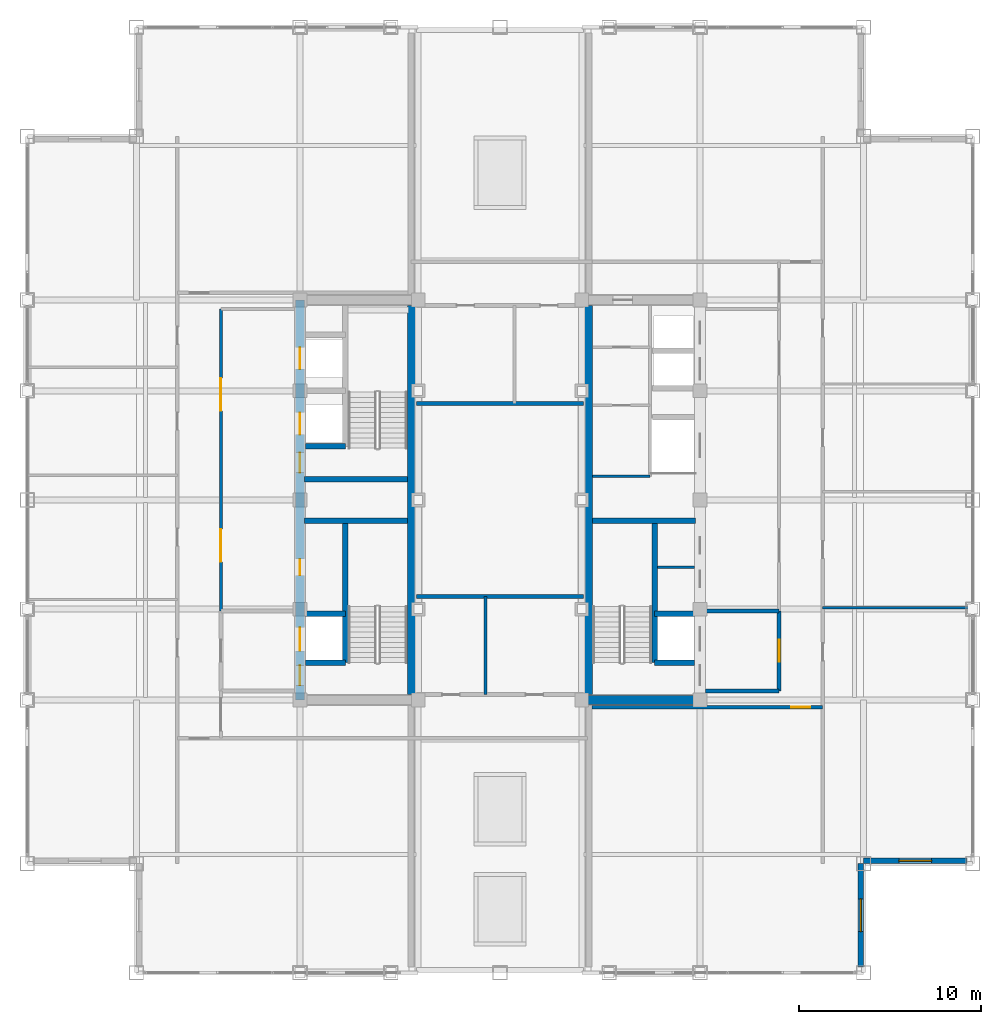
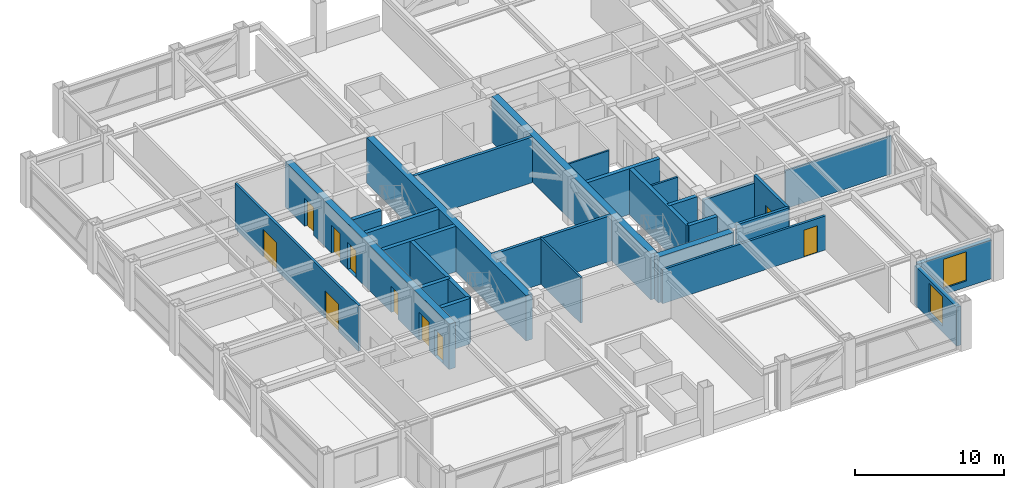
# One storey, part 26 of 29: 27 walls, 10 doors, 2 windows, 12 openings.
"""IFC4 building model written with IfcOpenShell, lengths in metres."""

from ifc_helpers import new_model, si_unit, direction, frame, frame_2d, origin, place, context, subcontext, project, spatial, rectangle, extrude, source, transform, mapped, material, layer, layer_set, type_object, element, fill, save


model = new_model("IFC4")

# Units and contexts
model_context = context("Model", 3, precision=1e-05, world=origin(), true_north=direction((0.0, 1.0)))
body_context = subcontext(model_context, "Body", "Model", "MODEL_VIEW")
ifc_project = project(units=[si_unit("LENGTHUNIT", "METRE"), si_unit("AREAUNIT", "SQUARE_METRE"), si_unit("VOLUMEUNIT", "CUBIC_METRE"), si_unit("PLANEANGLEUNIT", "RADIAN"), si_unit("MASSUNIT", "GRAM", prefix="KILO")], contexts=[model_context])

# Site, building, storey
site_placement = place(None, origin())
site = spatial("IfcSite", under=ifc_project, at=site_placement, CompositionType="ELEMENT")
building_placement = place(site_placement, origin())
building = spatial("IfcBuilding", under=site, at=building_placement, Name="Khorayat Bourse Tower", CompositionType="ELEMENT")
storey_placement = place(building_placement, frame((0.0, 0.0, 346.300048828125)))
storey = spatial("IfcBuildingStorey", under=building, at=storey_placement, Name="L82", CompositionType="ELEMENT", Elevation=346.300048828125)

# Wall, openings, doors
ifc_material_1 = material(Name="Concrete C52/65", Category="concrete")
ifc_layer_1 = layer(ifc_material_1, 0.5)
ifc_layer_set_1 = layer_set([ifc_layer_1], Name="Concrete C52/65")
wall_type_1 = type_object("IfcWallType", Name="WAL-CORE-500", PredefinedType="SHEAR", material=ifc_layer_set_1)
shared_shape_1 = source(origin(), body_context, "Body", "SweptSolid", [
    extrude(rectangle(XDim=22.0, YDim=0.5, at=frame_2d((11.0, 0.0))), origin(), (0.0, 0.0, 1.0), 3.739990234375),
])
wall_1_placement = place(storey_placement, frame((-11.0, -11.0, 0.0), z_axis=(0.0, 0.0, 1.0), x_axis=(0.0, 1.0, 0.0)))
wall_1 = element("IfcWall", 1, at=wall_1_placement, inside=storey, type_object=wall_type_1, Name="L82 Core Shear Wall CORE-W", PredefinedType="SHEAR", context=body_context, shape_type="MappedRepresentation", body=[
    mapped(shared_shape_1, transform((0.0, 0.0, 0.0), scale=1.0)),
])
shared_shape_2 = source(origin(), body_context, "Body", "SweptSolid", [
    extrude(rectangle(XDim=1.10009765625, YDim=2.199951171875, at=frame_2d((0.550048828125, 1.10009765625))), frame((0.0, 0.260009765625, 0.0), z_axis=(0.0, -1.0, 0.0), x_axis=(1.0, 0.0, 0.0)), (0.0, 0.0, 1.0), 0.52001953125),
])
opening_1_placement = place(wall_1_placement, frame((0.800048828125, 0.0, 0.0)))
opening_1 = element("IfcOpeningElement", 2, at=opening_1_placement, cuts=wall_1, Name="Opening DI-01", PredefinedType="OPENING", context=body_context, shape_type="MappedRepresentation", body=[
    mapped(shared_shape_2, transform((0.0, 0.0, 0.0), scale=1.0)),
])
opening_2_placement = place(wall_1_placement, frame((12.5, 0.0, 0.0)))
opening_2 = element("IfcOpeningElement", 3, at=opening_2_placement, cuts=wall_1, Name="Opening DI-01", PredefinedType="OPENING", context=body_context, shape_type="MappedRepresentation", body=[
    mapped(shared_shape_2, transform((0.0, 0.0, 0.0), scale=1.0)),
])
shared_shape_3 = source(origin(), body_context, "Body", "SweptSolid", [
    extrude(rectangle(XDim=0.89990234375, YDim=2.14990234375, at=frame_2d((0.449951171875, 1.074951171875))), frame((0.0, 0.260009765625, 0.0), z_axis=(0.0, -1.0, 0.0), x_axis=(1.0, 0.0, 0.0)), (0.0, 0.0, 1.0), 0.52001953125),
])
opening_3_placement = place(wall_1_placement, frame((6.85009765625, 0.0, 0.0)))
opening_3 = element("IfcOpeningElement", 4, at=opening_3_placement, cuts=wall_1, Name="Opening DI-06", PredefinedType="OPENING", context=body_context, shape_type="MappedRepresentation", body=[
    mapped(shared_shape_3, transform((0.0, 0.0, 0.0), scale=1.0)),
])
shared_shape_4 = source(origin(), body_context, "Body", "SweptSolid", [
    extrude(rectangle(XDim=1.199951171875, YDim=2.300048828125, at=frame_2d((0.60009765625, 1.14990234375))), frame((0.0, 0.260009765625, 0.0), z_axis=(0.0, -1.0, 0.0), x_axis=(1.0, 0.0, 0.0)), (0.0, 0.0, 1.0), 0.52001953125),
])
opening_4_placement = place(wall_1_placement, frame((14.60009765625, 0.0, 0.0)))
opening_4 = element("IfcOpeningElement", 5, at=opening_4_placement, cuts=wall_1, Name="Opening LD-01", PredefinedType="OPENING", context=body_context, shape_type="MappedRepresentation", body=[
    mapped(shared_shape_4, transform((0.0, 0.0, 0.0), scale=1.0)),
])
opening_5_placement = place(wall_1_placement, frame((18.199951171875, 0.0, 0.0)))
opening_5 = element("IfcOpeningElement", 6, at=opening_5_placement, cuts=wall_1, Name="Opening LD-01", PredefinedType="OPENING", context=body_context, shape_type="MappedRepresentation", body=[
    mapped(shared_shape_4, transform((0.0, 0.0, 0.0), scale=1.0)),
])
shared_shape_5 = source(origin(), body_context, "Body", "SweptSolid", [
    extrude(rectangle(XDim=1.300048828125, YDim=2.300048828125, at=frame_2d((0.64990234375, 1.14990234375))), frame((0.0, 0.260009765625, 0.0), z_axis=(0.0, -1.0, 0.0), x_axis=(1.0, 0.0, 0.0)), (0.0, 0.0, 1.0), 0.52001953125),
])
opening_6_placement = place(wall_1_placement, frame((2.699951171875, 0.0, 0.0)))
opening_6 = element("IfcOpeningElement", 7, at=opening_6_placement, cuts=wall_1, Name="Opening LD-02", PredefinedType="OPENING", context=body_context, shape_type="MappedRepresentation", body=[
    mapped(shared_shape_5, transform((0.0, 0.0, 0.0), scale=1.0)),
])
ifc_material_2 = material(Name="Fire-rated steel acoustic leaf", Category="steel")
door_type_1 = type_object("IfcDoorType", Name="DR-INT-STAIR-1100", OperationType="NOTDEFINED", PredefinedType="DOOR", material=ifc_material_2)
shared_shape_6 = source(origin(), body_context, "Body", "SweptSolid", [
    extrude(rectangle(XDim=1.10009765625, YDim=2.199951171875, at=frame_2d((0.550048828125, 1.10009765625))), frame((0.0, 0.02490234375, 0.0), z_axis=(0.0, -1.0, 0.0), x_axis=(1.0, 0.0, 0.0)), (0.0, 0.0, 1.0), 0.050048828125),
])
door_1_placement = place(opening_1_placement, origin())
door_1 = element("IfcDoor", 8, at=door_1_placement, inside=storey, type_object=door_type_1, Name="L82 Exit Stair 1 Door", OperationType="SINGLE_SWING_RIGHT", OverallHeight=2.199951171875, OverallWidth=1.10009765625, PredefinedType="DOOR", context=body_context, shape_type="MappedRepresentation", body=[
    mapped(shared_shape_6, transform((0.0, 0.0, 0.0), scale=1.0)),
])
fill(opening_1, door_1)
door_2_placement = place(opening_2_placement, origin())
door_2 = element("IfcDoor", 9, at=door_2_placement, inside=storey, type_object=door_type_1, Name="L82 Exit Stair 2 Door", OperationType="SINGLE_SWING_RIGHT", OverallHeight=2.199951171875, OverallWidth=1.10009765625, PredefinedType="DOOR", context=body_context, shape_type="MappedRepresentation", body=[
    mapped(shared_shape_6, transform((0.0, 0.0, 0.0), scale=1.0)),
])
fill(opening_2, door_2)
ifc_material_3 = material(Name="Moisture-resistant laminate washroom door")
door_type_2 = type_object("IfcDoorType", Name="DR-INT-WC-900", OperationType="NOTDEFINED", PredefinedType="DOOR", material=ifc_material_3)
shared_shape_7 = source(origin(), body_context, "Body", "SweptSolid", [
    extrude(rectangle(XDim=0.89990234375, YDim=2.14990234375, at=frame_2d((0.449951171875, 1.074951171875))), frame((0.0, 0.02490234375, 0.0), z_axis=(0.0, -1.0, 0.0), x_axis=(1.0, 0.0, 0.0)), (0.0, 0.0, 1.0), 0.050048828125),
])
door_3_placement = place(opening_3_placement, origin())
door_3 = element("IfcDoor", 10, at=door_3_placement, inside=storey, type_object=door_type_2, Name="L82 Electrical Switch Plant Room Door", OperationType="SINGLE_SWING_RIGHT", OverallHeight=2.14990234375, OverallWidth=0.89990234375, PredefinedType="DOOR", context=body_context, shape_type="MappedRepresentation", body=[
    mapped(shared_shape_7, transform((0.0, 0.0, 0.0), scale=1.0)),
])
fill(opening_3, door_3)
ifc_material_4 = material(Name="Brushed bronze stainless-steel sliding door", Category="steel")
door_type_3 = type_object("IfcDoorType", Name="DR-LIFT-PASS-1200", OperationType="NOTDEFINED", PredefinedType="DOOR", material=ifc_material_4)
shared_shape_8 = source(origin(), body_context, "Body", "SweptSolid", [
    extrude(rectangle(XDim=1.199951171875, YDim=2.300048828125, at=frame_2d((0.60009765625, 1.14990234375))), frame((0.0, 0.02490234375, 0.0), z_axis=(0.0, -1.0, 0.0), x_axis=(1.0, 0.0, 0.0)), (0.0, 0.0, 1.0), 0.050048828125),
])
door_4_placement = place(opening_4_placement, origin())
door_4 = element("IfcDoor", 11, at=door_4_placement, inside=storey, type_object=door_type_3, Name="L82 Lift PL-H1 Sliding Landing Door", OperationType="SLIDING_TO_LEFT", OverallHeight=2.300048828125, OverallWidth=1.199951171875, PredefinedType="DOOR", context=body_context, shape_type="MappedRepresentation", body=[
    mapped(shared_shape_8, transform((0.0, 0.0, 0.0), scale=1.0)),
])
fill(opening_4, door_4)
door_5_placement = place(opening_5_placement, origin())
door_5 = element("IfcDoor", 12, at=door_5_placement, inside=storey, type_object=door_type_3, Name="L82 Lift PL-H2 Sliding Landing Door", OperationType="SLIDING_TO_LEFT", OverallHeight=2.300048828125, OverallWidth=1.199951171875, PredefinedType="DOOR", context=body_context, shape_type="MappedRepresentation", body=[
    mapped(shared_shape_8, transform((0.0, 0.0, 0.0), scale=1.0)),
])
fill(opening_5, door_5)
ifc_material_5 = material(Name="Fire-rated stainless-steel sliding landing door", Category="steel")
door_type_4 = type_object("IfcDoorType", Name="DR-LIFT-FF-1300", OperationType="NOTDEFINED", PredefinedType="DOOR", material=ifc_material_5)
shared_shape_9 = source(origin(), body_context, "Body", "SweptSolid", [
    extrude(rectangle(XDim=1.300048828125, YDim=2.300048828125, at=frame_2d((0.64990234375, 1.14990234375))), frame((0.0, 0.02490234375, 0.0), z_axis=(0.0, -1.0, 0.0), x_axis=(1.0, 0.0, 0.0)), (0.0, 0.0, 1.0), 0.050048828125),
])
door_6_placement = place(opening_6_placement, origin())
door_6 = element("IfcDoor", 13, at=door_6_placement, inside=storey, type_object=door_type_4, Name="L82 Lift FFL-01 Sliding Landing Door", OperationType="SLIDING_TO_LEFT", OverallHeight=2.300048828125, OverallWidth=1.300048828125, PredefinedType="DOOR", context=body_context, shape_type="MappedRepresentation", body=[
    mapped(shared_shape_9, transform((0.0, 0.0, 0.0), scale=1.0)),
])
fill(opening_6, door_6)

# Walls
shared_shape_10 = source(origin(), body_context, "Body", "SweptSolid", [
    extrude(rectangle(XDim=21.39990234375, YDim=0.5, at=frame_2d((10.699951171875, 0.0))), origin(), (0.0, 0.0, 1.0), 3.739990234375),
])
for number, where, z_axis, x_axis, name in (
    (14, (-4.85009765625, -10.699951171875, 0.0), (0.0, 0.0, 1.0), (0.0, 1.0, 0.0), "L82 Core Shear Wall PIER-W"),
    (15, (4.85009765625, -10.699951171875, 0.0), (0.0, 0.0, 1.0), (0.0, 1.0, 0.0), "L82 Core Shear Wall PIER-E"),
):
    element("IfcWall", number, at=place(storey_placement, frame(where, z_axis=z_axis, x_axis=x_axis)), inside=storey, type_object=wall_type_1, Name=name, PredefinedType="SHEAR", context=body_context, shape_type="MappedRepresentation", body=[
        mapped(shared_shape_10, transform((0.0, 0.0, 0.0), scale=1.0)),
    ])
shared_shape_11 = source(origin(), body_context, "Body", "SweptSolid", [
    extrude(rectangle(XDim=5.89990234375, YDim=0.5, at=frame_2d((2.949951171875, 0.0))), origin(), (0.0, 0.0, 1.0), 3.739990234375),
])
wall_2_placement = place(storey_placement, frame((4.85009765625, -11.0, 0.0), z_axis=(0.0, 0.0, 1.0), x_axis=(1.0, 0.0, 0.0)))
element("IfcWall", 16, at=wall_2_placement, inside=storey, type_object=wall_type_1, Name="L82 Core Shear Wall PIER-ES", PredefinedType="SHEAR", context=body_context, shape_type="MappedRepresentation", body=[
    mapped(shared_shape_11, transform((0.0, 0.0, 0.0), scale=1.0)),
])
ifc_material_6 = material(Name="Concrete C50/60", Category="concrete")
ifc_layer_2 = layer(ifc_material_6, 0.300048828125)
ifc_layer_set_2 = layer_set([ifc_layer_2], Name="Concrete C50/60")
wall_type_2 = type_object("IfcWallType", Name="WAL-SHAFT-300", PredefinedType="SHEAR", material=ifc_layer_set_2)
shared_shape_12 = source(origin(), body_context, "Body", "SweptSolid", [
    extrude(rectangle(XDim=5.64990234375, YDim=0.300048828125, at=frame_2d((2.824951171875, 0.0))), origin(), (0.0, 0.0, 1.0), 3.739990234375),
])
for number, where, z_axis, x_axis, name in (
    (17, (-10.75, -1.14990234375, 0.0), (0.0, 0.0, 1.0), (1.0, 0.0, 0.0), "L82 Core Shear Wall ST1-DIV"),
    (18, (-10.75, 1.14990234375, 0.0), (0.0, 0.0, 1.0), (1.0, 0.0, 0.0), "L82 Core Shear Wall ST2-DIV"),
    (19, (5.10009765625, -1.14990234375, 0.0), (0.0, 0.0, 1.0), (1.0, 0.0, 0.0), "L82 Core Shear Wall ST3-DIV"),
):
    element("IfcWall", number, at=place(storey_placement, frame(where, z_axis=z_axis, x_axis=x_axis)), inside=storey, type_object=wall_type_2, Name=name, PredefinedType="SHEAR", context=body_context, shape_type="MappedRepresentation", body=[
        mapped(shared_shape_12, transform((0.0, 0.0, 0.0), scale=1.0)),
    ])

# Wall, opening, window
ifc_material_7 = material(Name="Precast concrete C45/55", Category="concrete")
ifc_layer_3 = layer(ifc_material_7, 0.320068359375)
ifc_layer_set_3 = layer_set([ifc_layer_3], Name="Precast concrete C45/55")
wall_type_3 = type_object("IfcWallType", Name="WAL-EXT-STONE-320", PredefinedType="STANDARD", material=ifc_layer_set_3)
shared_shape_13 = source(origin(), body_context, "Body", "SweptSolid", [
    extrude(rectangle(XDim=5.679931640625, YDim=0.320068359375, at=frame_2d((2.83984375, 0.0))), origin(), (0.0, 0.0, 1.0), 3.19091796875),
])
wall_3_placement = place(storey_placement, frame((19.840087890625, -25.679931640625, 0.0), z_axis=(0.0, 0.0, 1.0), x_axis=(0.0, 1.0, 0.0)))
wall_3 = element("IfcWall", 20, at=wall_3_placement, inside=storey, type_object=wall_type_3, Name="L82 Re-Entrant Notch Limestone Wall SE-V", PredefinedType="STANDARD", context=body_context, shape_type="MappedRepresentation", body=[
    mapped(shared_shape_13, transform((0.0, 0.0, 0.0), scale=1.0)),
])
shared_shape_14 = source(origin(), body_context, "Body", "SweptSolid", [
    extrude(rectangle(XDim=1.800048828125, YDim=2.39990234375, at=frame_2d((0.89990234375, 1.199951171875))), frame((0.0, 0.169921875, 0.0), z_axis=(0.0, -1.0, 0.0), x_axis=(1.0, 0.0, 0.0)), (0.0, 0.0, 1.0), 0.340087890625),
])
opening_7_placement = place(wall_3_placement, frame((1.93994140625, 0.0, 0.5)))
opening_7 = element("IfcOpeningElement", 21, at=opening_7_placement, cuts=wall_3, Name="Opening WN-04", PredefinedType="OPENING", context=body_context, shape_type="MappedRepresentation", body=[
    mapped(shared_shape_14, transform((0.0, 0.0, 0.0), scale=1.0)),
])
ifc_material_8 = material(Name="Low-E acoustic laminated double glazing", Category="glass")
window_type = type_object("IfcWindowType", Name="WIN-NOTCH-1800x2400", PartitioningType="SINGLE_PANEL", PredefinedType="WINDOW", material=ifc_material_8)
shared_shape_15 = source(origin(), body_context, "Body", "SweptSolid", [
    extrude(rectangle(XDim=1.800048828125, YDim=2.39990234375, at=frame_2d((0.89990234375, 1.199951171875))), frame((0.0, 0.030029296875, 0.0), z_axis=(0.0, -1.0, 0.0), x_axis=(1.0, 0.0, 0.0)), (0.0, 0.0, 1.0), 0.06005859375),
])
window_1_placement = place(opening_7_placement, origin())
window_1 = element("IfcWindow", 22, at=window_1_placement, inside=storey, type_object=window_type, Name="L82 Facade Window 1", OverallHeight=2.39990234375, OverallWidth=1.800048828125, PartitioningType="SINGLE_PANEL", PredefinedType="WINDOW", context=body_context, shape_type="MappedRepresentation", body=[
    mapped(shared_shape_15, transform((0.0, 0.0, 0.0), scale=1.0)),
])
fill(opening_7, window_1)

wall_4_placement = place(storey_placement, frame((20.0, -19.840087890625, 0.0), z_axis=(0.0, 0.0, 1.0), x_axis=(1.0, 0.0, 0.0)))
wall_4 = element("IfcWall", 23, at=wall_4_placement, inside=storey, type_object=wall_type_3, Name="L82 Re-Entrant Notch Limestone Wall SE-H", PredefinedType="STANDARD", context=body_context, shape_type="MappedRepresentation", body=[
    mapped(shared_shape_13, transform((0.0, 0.0, 0.0), scale=1.0)),
])
opening_8_placement = place(wall_4_placement, frame((1.93994140625, 0.0, 0.5)))
opening_8 = element("IfcOpeningElement", 24, at=opening_8_placement, cuts=wall_4, Name="Opening WN-04", PredefinedType="OPENING", context=body_context, shape_type="MappedRepresentation", body=[
    mapped(shared_shape_14, transform((0.0, 0.0, 0.0), scale=1.0)),
])
window_2_placement = place(opening_8_placement, origin())
window_2 = element("IfcWindow", 25, at=window_2_placement, inside=storey, type_object=window_type, Name="L82 Facade Window 1", OverallHeight=2.39990234375, OverallWidth=1.800048828125, PartitioningType="SINGLE_PANEL", PredefinedType="WINDOW", context=body_context, shape_type="MappedRepresentation", body=[
    mapped(shared_shape_15, transform((0.0, 0.0, 0.0), scale=1.0)),
])
fill(opening_8, window_2)

# Walls
shared_shape_16 = source(origin(), body_context, "Body", "SweptSolid", [
    extrude(rectangle(XDim=7.800048828125, YDim=0.300048828125, at=frame_2d((3.89990234375, 0.0))), origin(), (0.0, 0.0, 1.0), 3.739990234375),
])
for number, where, z_axis, x_axis, name in (
    (26, (-8.5, -8.949951171875, 0.0), (0.0, 0.0, 1.0), (0.0, 1.0, 0.0), "L82 Partition WAL-L82-WPIER-SP"),
    (27, (8.5, -8.949951171875, 0.0), (0.0, 0.0, 1.0), (0.0, 1.0, 0.0), "L82 Partition WAL-L82-EPIER-SP"),
):
    element("IfcWall", number, at=place(storey_placement, frame(where, z_axis=z_axis, x_axis=x_axis)), inside=storey, type_object=wall_type_2, Name=name, PredefinedType="SHEAR", context=body_context, shape_type="MappedRepresentation", body=[
        mapped(shared_shape_16, transform((0.0, 0.0, 0.0), scale=1.0)),
    ])
shared_shape_17 = source(origin(), body_context, "Body", "SweptSolid", [
    extrude(rectangle(XDim=2.199951171875, YDim=0.300048828125, at=frame_2d((1.10009765625, 0.0))), origin(), (0.0, 0.0, 1.0), 3.739990234375),
])
for number, where, z_axis, x_axis, name in (
    (28, (-10.699951171875, -8.949951171875, 0.0), (0.0, 0.0, 1.0), (1.0, 0.0, 0.0), "L82 Partition WAL-L82-WPIER-FF1S"),
    (29, (-10.699951171875, -6.25, 0.0), (0.0, 0.0, 1.0), (1.0, 0.0, 0.0), "L82 Partition WAL-L82-WPIER-FF1N"),
    (30, (-10.699951171875, 2.949951171875, 0.0), (0.0, 0.0, 1.0), (1.0, 0.0, 0.0), "L82 Partition WAL-L82-WPIER-H1S"),
    (31, (8.5, -8.949951171875, 0.0), (0.0, 0.0, 1.0), (1.0, 0.0, 0.0), "L82 Partition WAL-L82-EPIER-FF2S"),
    (32, (8.5, -6.25, 0.0), (0.0, 0.0, 1.0), (1.0, 0.0, 0.0), "L82 Partition WAL-L82-EPIER-FF2N"),
):
    element("IfcWall", number, at=place(storey_placement, frame(where, z_axis=z_axis, x_axis=x_axis)), inside=storey, type_object=wall_type_2, Name=name, PredefinedType="SHEAR", context=body_context, shape_type="MappedRepresentation", body=[
        mapped(shared_shape_17, transform((0.0, 0.0, 0.0), scale=1.0)),
    ])
ifc_material_9 = material(Name="Gypsum plasterboard twin-frame partition")
ifc_layer_4 = layer(ifc_material_9, 0.14990234375)
ifc_layer_set_4 = layer_set([ifc_layer_4], Name="Gypsum plasterboard twin-frame partition")
wall_type_4 = type_object("IfcWallType", Name="WAL-PART-SUITE-150", PredefinedType="PARTITIONING", material=ifc_layer_set_4)
shared_shape_18 = source(origin(), body_context, "Body", "SweptSolid", [
    extrude(rectangle(XDim=2.050048828125, YDim=0.14990234375, at=frame_2d((1.02490234375, 0.0))), origin(), (0.0, 0.0, 1.0), 3.739990234375),
])
wall_5_placement = place(storey_placement, frame((8.64990234375, -3.699951171875, 0.0), z_axis=(0.0, 0.0, 1.0), x_axis=(1.0, 0.0, 0.0)))
element("IfcWall", 33, at=wall_5_placement, inside=storey, type_object=wall_type_4, Name="L82 Partition WAL-L82-ESRV-D1", PredefinedType="PARTITIONING", context=body_context, shape_type="MappedRepresentation", body=[
    mapped(shared_shape_18, transform((0.0, 0.0, 0.0), scale=1.0)),
])
ifc_material_10 = material(Name="Moisture-resistant masonry partition", Category="masonry")
ifc_layer_5 = layer(ifc_material_10, 0.139892578125)
ifc_layer_set_5 = layer_set([ifc_layer_5], Name="Moisture-resistant masonry partition")
wall_type_5 = type_object("IfcWallType", Name="WAL-PART-WET-140", PredefinedType="PARTITIONING", material=ifc_layer_set_5)
shared_shape_19 = source(origin(), body_context, "Body", "SweptSolid", [
    extrude(rectangle(XDim=3.14990234375, YDim=0.139892578125, at=frame_2d((1.574951171875, 0.0))), origin(), (0.0, 0.0, 1.0), 3.739990234375),
])
wall_6_placement = place(storey_placement, frame((5.10009765625, 1.300048828125, 0.0), z_axis=(0.0, 0.0, 1.0), x_axis=(1.0, 0.0, 0.0)))
element("IfcWall", 34, at=wall_6_placement, inside=storey, type_object=wall_type_5, Name="L82 Partition WAL-L82-ECORE-S", PredefinedType="PARTITIONING", context=body_context, shape_type="MappedRepresentation", body=[
    mapped(shared_shape_19, transform((0.0, 0.0, 0.0), scale=1.0)),
])
ifc_material_11 = material(Name="Aerated concrete blockwork", Category="masonry")
ifc_layer_6 = layer(ifc_material_11, 0.219970703125)
ifc_layer_set_6 = layer_set([ifc_layer_6], Name="Aerated concrete blockwork")
wall_type_6 = type_object("IfcWallType", Name="WAL-PART-FF-220", PredefinedType="PARTITIONING", material=ifc_layer_set_6)
shared_shape_20 = source(origin(), body_context, "Body", "SweptSolid", [
    extrude(rectangle(XDim=4.050048828125, YDim=0.219970703125, at=frame_2d((2.02490234375, 0.0))), origin(), (0.0, 0.0, 1.0), 3.739990234375),
])
wall_7_placement = place(storey_placement, frame((11.300048828125, -10.5, 0.0), z_axis=(0.0, 0.0, 1.0), x_axis=(1.0, 0.0, 0.0)))
element("IfcWall", 35, at=wall_7_placement, inside=storey, type_object=wall_type_6, Name="L82 Partition WAL-L82-FFLE-S", PredefinedType="PARTITIONING", context=body_context, shape_type="MappedRepresentation", body=[
    mapped(shared_shape_20, transform((0.0, 0.0, 0.0), scale=1.0)),
])
shared_shape_21 = source(origin(), body_context, "Body", "SweptSolid", [
    extrude(rectangle(XDim=4.050048828125, YDim=0.219970703125, at=frame_2d((2.02490234375, 0.0))), origin(), (0.0, 0.0, 1.0), 3.1240234375),
])
wall_8_placement = place(storey_placement, frame((11.300048828125, -6.10009765625, 0.0), z_axis=(0.0, 0.0, 1.0), x_axis=(1.0, 0.0, 0.0)))
element("IfcWall", 36, at=wall_8_placement, inside=storey, type_object=wall_type_6, Name="L82 Partition WAL-L82-FFLE-N", PredefinedType="PARTITIONING", context=body_context, shape_type="MappedRepresentation", body=[
    mapped(shared_shape_21, transform((0.0, 0.0, 0.0), scale=1.0)),
])

# Wall, opening, door
shared_shape_22 = source(origin(), body_context, "Body", "SweptSolid", [
    extrude(rectangle(XDim=4.39990234375, YDim=0.219970703125, at=frame_2d((2.199951171875, 0.0))), origin(), (0.0, 0.0, 1.0), 3.739990234375),
])
wall_9_placement = place(storey_placement, frame((15.35009765625, -10.5, 0.0), z_axis=(0.0, 0.0, 1.0), x_axis=(0.0, 1.0, 0.0)))
wall_9 = element("IfcWall", 37, at=wall_9_placement, inside=storey, type_object=wall_type_6, Name="L82 Partition WAL-L82-FFLE-E", PredefinedType="PARTITIONING", context=body_context, shape_type="MappedRepresentation", body=[
    mapped(shared_shape_22, transform((0.0, 0.0, 0.0), scale=1.0)),
])
shared_shape_23 = source(origin(), body_context, "Body", "SweptSolid", [
    extrude(rectangle(XDim=1.199951171875, YDim=2.199951171875, at=frame_2d((0.60009765625, 1.10009765625))), frame((0.0, 0.119873046875, 0.0), z_axis=(0.0, -1.0, 0.0), x_axis=(1.0, 0.0, 0.0)), (0.0, 0.0, 1.0), 0.239990234375),
])
opening_9_placement = place(wall_9_placement, frame((1.60009765625, 0.0, 0.0)))
opening_9 = element("IfcOpeningElement", 38, at=opening_9_placement, cuts=wall_9, Name="Opening DI-02", PredefinedType="OPENING", context=body_context, shape_type="MappedRepresentation", body=[
    mapped(shared_shape_23, transform((0.0, 0.0, 0.0), scale=1.0)),
])
ifc_material_12 = material(Name="Fire-rated steel double-seal leaf", Category="steel")
door_type_5 = type_object("IfcDoorType", Name="DR-INT-FFLOBBY-1200", OperationType="NOTDEFINED", PredefinedType="DOOR", material=ifc_material_12)
shared_shape_24 = source(origin(), body_context, "Body", "SweptSolid", [
    extrude(rectangle(XDim=1.199951171875, YDim=2.199951171875, at=frame_2d((0.60009765625, 1.10009765625))), frame((0.0, 0.02490234375, 0.0), z_axis=(0.0, -1.0, 0.0), x_axis=(1.0, 0.0, 0.0)), (0.0, 0.0, 1.0), 0.050048828125),
])
door_7_placement = place(opening_9_placement, origin())
door_7 = element("IfcDoor", 39, at=door_7_placement, inside=storey, type_object=door_type_5, Name="L82 East Firefighting Lobby Door", OperationType="SINGLE_SWING_RIGHT", OverallHeight=2.199951171875, OverallWidth=1.199951171875, PredefinedType="DOOR", context=body_context, shape_type="MappedRepresentation", body=[
    mapped(shared_shape_24, transform((0.0, 0.0, 0.0), scale=1.0)),
])
fill(opening_9, door_7)

# Wall, openings, doors
ifc_material_13 = material(Name="Gypsum plasterboard acoustic stud wall")
ifc_layer_7 = layer(ifc_material_13, 0.179931640625)
ifc_layer_set_7 = layer_set([ifc_layer_7], Name="Gypsum plasterboard acoustic stud wall")
wall_type_7 = type_object("IfcWallType", Name="WAL-PART-CORR-180", PredefinedType="PARTITIONING", material=ifc_layer_set_7)
shared_shape_25 = source(origin(), body_context, "Body", "SweptSolid", [
    extrude(rectangle(XDim=16.60009765625, YDim=0.179931640625, at=frame_2d((8.300048828125, 0.0))), origin(), (0.0, 0.0, 1.0), 3.739990234375),
])
wall_10_placement = place(storey_placement, frame((-15.35009765625, -6.10009765625, 0.0), z_axis=(0.0, 0.0, 1.0), x_axis=(0.0, 1.0, 0.0)))
wall_10 = element("IfcWall", 40, at=wall_10_placement, inside=storey, type_object=wall_type_7, Name="L82 Partition WAL-L82-WLOB-W", PredefinedType="PARTITIONING", context=body_context, shape_type="MappedRepresentation", body=[
    mapped(shared_shape_25, transform((0.0, 0.0, 0.0), scale=1.0)),
])
shared_shape_26 = source(origin(), body_context, "Body", "SweptSolid", [
    extrude(rectangle(XDim=1.800048828125, YDim=2.25, at=frame_2d((0.89990234375, 1.125))), frame((0.0, 0.099853515625, 0.0), z_axis=(0.0, -1.0, 0.0), x_axis=(1.0, 0.0, 0.0)), (0.0, 0.0, 1.0), 0.199951171875),
])
opening_10_placement = place(wall_10_placement, frame((2.699951171875, 0.0, 0.0)))
opening_10 = element("IfcOpeningElement", 41, at=opening_10_placement, cuts=wall_10, Name="Opening DI-03", PredefinedType="OPENING", context=body_context, shape_type="MappedRepresentation", body=[
    mapped(shared_shape_26, transform((0.0, 0.0, 0.0), scale=1.0)),
])
opening_11_placement = place(wall_10_placement, frame((11.0, 0.0, 0.0)))
opening_11 = element("IfcOpeningElement", 42, at=opening_11_placement, cuts=wall_10, Name="Opening DI-03", PredefinedType="OPENING", context=body_context, shape_type="MappedRepresentation", body=[
    mapped(shared_shape_26, transform((0.0, 0.0, 0.0), scale=1.0)),
])
ifc_material_14 = material(Name="Fire-rated hardwood vision-panel double leaf", Category="wood")
door_type_6 = type_object("IfcDoorType", Name="DR-INT-CORR-1800", OperationType="NOTDEFINED", PredefinedType="DOOR", material=ifc_material_14)
shared_shape_27 = source(origin(), body_context, "Body", "SweptSolid", [
    extrude(rectangle(XDim=1.800048828125, YDim=2.25, at=frame_2d((0.89990234375, 1.125))), frame((0.0, 0.02490234375, 0.0), z_axis=(0.0, -1.0, 0.0), x_axis=(1.0, 0.0, 0.0)), (0.0, 0.0, 1.0), 0.050048828125),
])
door_8_placement = place(opening_10_placement, origin())
door_8 = element("IfcDoor", 43, at=door_8_placement, inside=storey, type_object=door_type_6, Name="L82 West Core Lobby South Door", OperationType="SINGLE_SWING_LEFT", OverallHeight=2.25, OverallWidth=1.800048828125, PredefinedType="DOOR", context=body_context, shape_type="MappedRepresentation", body=[
    mapped(shared_shape_27, transform((0.0, 0.0, 0.0), scale=1.0)),
])
fill(opening_10, door_8)
door_9_placement = place(opening_11_placement, origin())
door_9 = element("IfcDoor", 44, at=door_9_placement, inside=storey, type_object=door_type_6, Name="L82 West Core Lobby North Door", OperationType="SINGLE_SWING_RIGHT", OverallHeight=2.25, OverallWidth=1.800048828125, PredefinedType="DOOR", context=body_context, shape_type="MappedRepresentation", body=[
    mapped(shared_shape_27, transform((0.0, 0.0, 0.0), scale=1.0)),
])
fill(opening_11, door_9)

# Walls
shared_shape_28 = source(origin(), body_context, "Body", "SweptSolid", [
    extrude(rectangle(XDim=5.39990234375, YDim=0.14990234375, at=frame_2d((2.699951171875, 0.0))), origin(), (0.0, 0.0, 1.0), 3.739990234375),
])
wall_11_placement = place(storey_placement, frame((-0.800048828125, -10.699951171875, 0.0), z_axis=(0.0, 0.0, 1.0), x_axis=(0.0, 1.0, 0.0)))
element("IfcWall", 45, at=wall_11_placement, inside=storey, type_object=wall_type_4, Name="L82 Partition WAL-L82-WPB1-D", PredefinedType="PARTITIONING", context=body_context, shape_type="MappedRepresentation", body=[
    mapped(shared_shape_28, transform((0.0, 0.0, 0.0), scale=1.0)),
])
shared_shape_29 = source(origin(), body_context, "Body", "SweptSolid", [
    extrude(rectangle(XDim=9.2001953125, YDim=0.219970703125, at=frame_2d((4.60009765625, 0.0))), origin(), (0.0, 0.0, 1.0), 3.739990234375),
])
for number, where, z_axis, x_axis, name in (
    (46, (-4.60009765625, -5.300048828125, 0.0), (0.0, 0.0, 1.0), (1.0, 0.0, 0.0), "L82 Partition WAL-L82-WPB1-N"),
    (47, (-4.60009765625, 5.300048828125, 0.0), (0.0, 0.0, 1.0), (1.0, 0.0, 0.0), "L82 Partition WAL-L82-WPB2-S"),
):
    element("IfcWall", number, at=place(storey_placement, frame(where, z_axis=z_axis, x_axis=x_axis)), inside=storey, type_object=wall_type_6, Name=name, PredefinedType="PARTITIONING", context=body_context, shape_type="MappedRepresentation", body=[
        mapped(shared_shape_29, transform((0.0, 0.0, 0.0), scale=1.0)),
    ])

# Wall, opening, door
shared_shape_30 = source(origin(), body_context, "Body", "SweptSolid", [
    extrude(rectangle(XDim=12.699951171875, YDim=0.179931640625, at=frame_2d((6.35009765625, 0.0))), origin(), (0.0, 0.0, 1.0), 2.7900390625),
])
wall_12_placement = place(storey_placement, frame((5.050048828125, -11.39990234375, 0.0), z_axis=(0.0, 0.0, 1.0), x_axis=(1.0, 0.0, 0.0)))
wall_12 = element("IfcWall", 48, at=wall_12_placement, inside=storey, type_object=wall_type_7, Name="L82 Partition WAL-L82-EPS-N", PredefinedType="PARTITIONING", context=body_context, shape_type="MappedRepresentation", body=[
    mapped(shared_shape_30, transform((0.0, 0.0, 0.0), scale=1.0)),
])
shared_shape_31 = source(origin(), body_context, "Body", "SweptSolid", [
    extrude(rectangle(XDim=1.050048828125, YDim=2.199951171875, at=frame_2d((0.52490234375, 1.10009765625))), frame((0.0, 0.099853515625, 0.0), z_axis=(0.0, -1.0, 0.0), x_axis=(1.0, 0.0, 0.0)), (0.0, 0.0, 1.0), 0.199951171875),
])
opening_12_placement = place(wall_12_placement, frame((10.97509765625, 0.0, 0.0)))
opening_12 = element("IfcOpeningElement", 49, at=opening_12_placement, cuts=wall_12, Name="Opening DI-04", PredefinedType="OPENING", context=body_context, shape_type="MappedRepresentation", body=[
    mapped(shared_shape_31, transform((0.0, 0.0, 0.0), scale=1.0)),
])
ifc_material_15 = material(Name="Fire-rated oak veneer suite entrance door")
door_type_7 = type_object("IfcDoorType", Name="DR-INT-SUITE-1050", OperationType="NOTDEFINED", PredefinedType="DOOR", material=ifc_material_15)
shared_shape_32 = source(origin(), body_context, "Body", "SweptSolid", [
    extrude(rectangle(XDim=1.050048828125, YDim=2.199951171875, at=frame_2d((0.52490234375, 1.10009765625))), frame((0.0, 0.02490234375, 0.0), z_axis=(0.0, -1.0, 0.0), x_axis=(1.0, 0.0, 0.0)), (0.0, 0.0, 1.0), 0.050048828125),
])
door_10_placement = place(opening_12_placement, origin())
door_10 = element("IfcDoor", 50, at=door_10_placement, inside=storey, type_object=door_type_7, Name="L82 East Portal Lounge Door", OperationType="SINGLE_SWING_LEFT", OverallHeight=2.199951171875, OverallWidth=1.050048828125, PredefinedType="DOOR", context=body_context, shape_type="MappedRepresentation", body=[
    mapped(shared_shape_32, transform((0.0, 0.0, 0.0), scale=1.0)),
])
fill(opening_12, door_10)

# Wall
ifc_material_16 = material(Name="Gypsum plasterboard partition")
ifc_layer_8 = layer(ifc_material_16, 0.125)
ifc_layer_set_8 = layer_set([ifc_layer_8], Name="Gypsum plasterboard partition")
wall_type_8 = type_object("IfcWallType", Name="WAL-PART-ROOM-125", PredefinedType="PARTITIONING", material=ifc_layer_set_8)
shared_shape_33 = source(origin(), body_context, "Body", "SweptSolid", [
    extrude(rectangle(XDim=8.25, YDim=0.125, at=frame_2d((4.125, 0.0))), origin(), (0.0, 0.0, 1.0), 3.1240234375),
])
wall_13_placement = place(storey_placement, frame((17.75, -5.927978515625, 0.0), z_axis=(0.0, 0.0, 1.0), x_axis=(1.0, 0.0, 0.0)))
element("IfcWall", 51, at=wall_13_placement, inside=storey, type_object=wall_type_8, Name="L82 Partition WAL-L82-WPEDV-1", PredefinedType="PARTITIONING", context=body_context, shape_type="MappedRepresentation", body=[
    mapped(shared_shape_33, transform((0.0, 0.0, 0.0), scale=1.0)),
])

save(model, "model.ifc")
